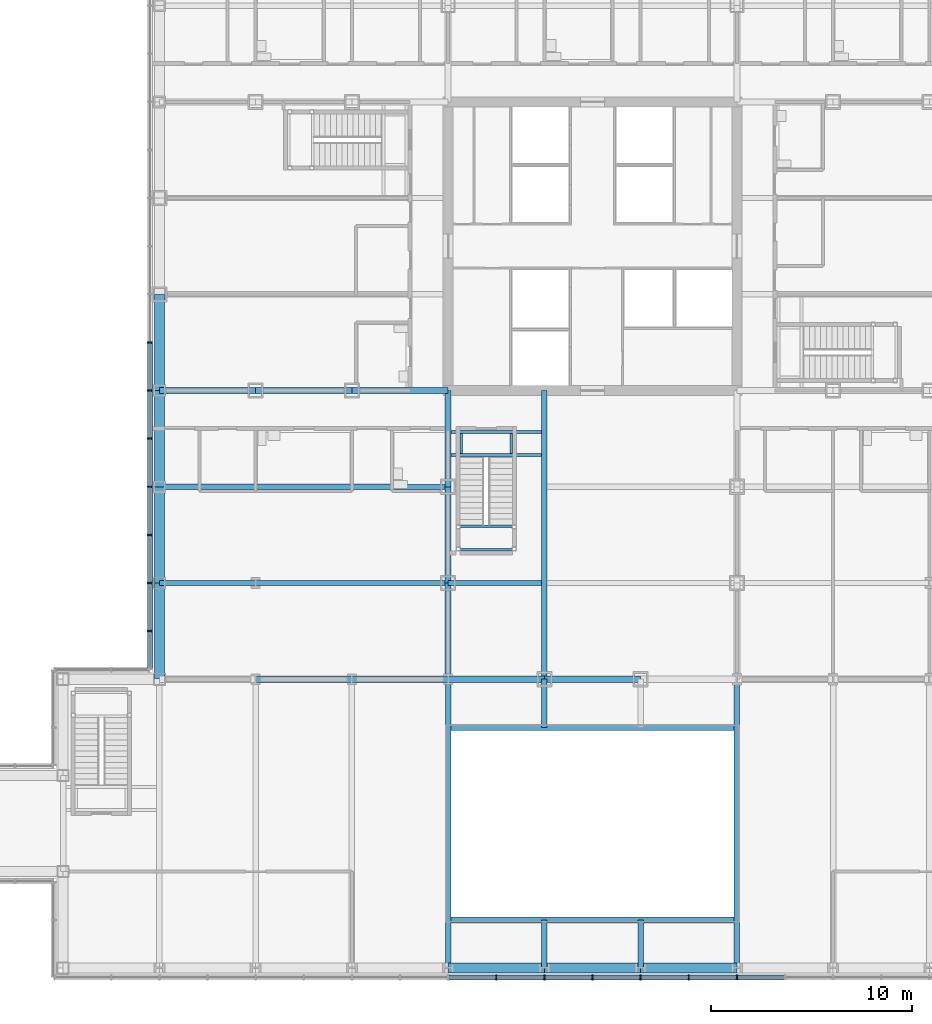
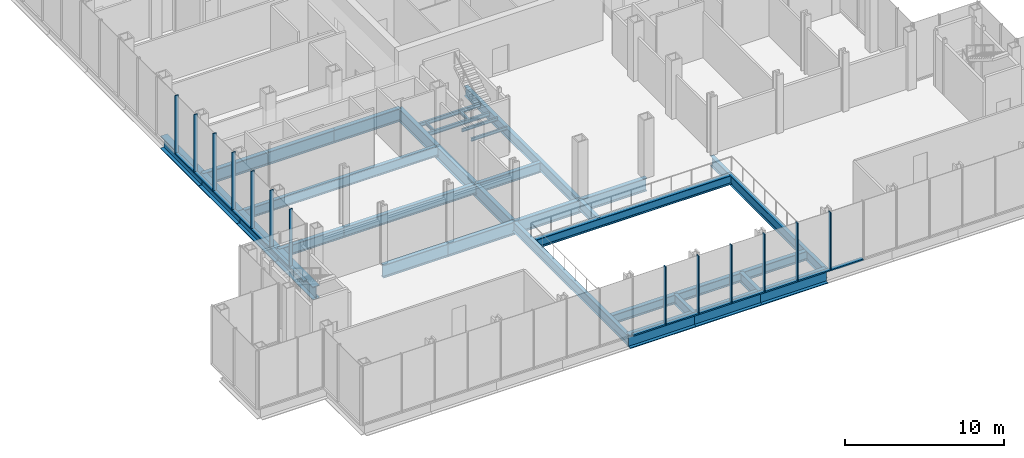
# One storey, part 12 of 25: 35 beams, 27 members, 2 elements without a shape of their own.
"""IFC4 building model written with IfcOpenShell, lengths in metres."""

from ifc_helpers import new_model, si_unit, direction, frame, origin, origin_2d, place, context, subcontext, project, spatial, rectangle, i_section, extrude, material, material_profile, profile_set, type_object, element, aggregate, save


model = new_model("IFC4")

# Units and contexts
model_context = context("Model", 3, precision=1e-05, world=origin(), true_north=direction((0.0, 1.0)))
body_context = subcontext(model_context, "Body", "Model", "MODEL_VIEW")
ifc_project = project(units=[si_unit("LENGTHUNIT", "METRE"), si_unit("AREAUNIT", "SQUARE_METRE"), si_unit("VOLUMEUNIT", "CUBIC_METRE"), si_unit("PLANEANGLEUNIT", "RADIAN"), si_unit("MASSUNIT", "GRAM", prefix="KILO")], contexts=[model_context])

# Site, building, storey
site_placement = place(None, origin())
site = spatial("IfcSite", under=ifc_project, at=site_placement, CompositionType="ELEMENT")
building_placement = place(site_placement, origin())
building = spatial("IfcBuilding", under=site, at=building_placement, Name="Kvirike Care Tower", CompositionType="ELEMENT")
storey_placement = place(building_placement, frame((0.0, 0.0, 13.5)))
storey = spatial("IfcBuildingStorey", under=building, at=storey_placement, Name="L03", CompositionType="ELEMENT", Elevation=13.5)

# Beams
ifc_material_1 = material(Name="Steel S355", Category="steel")
ifc_material_profile_1 = material_profile(ifc_material_1, i_section(OverallWidth=0.300048828125, OverallDepth=0.699951171875, WebThickness=0.01708984375, FlangeThickness=0.031982421875, FilletRadius=0.027099609375, at=origin_2d()), Name="HE 700 B")
ifc_profile_set_1 = profile_set([ifc_material_profile_1], Name="Steel S355")
beam_type_1 = type_object("IfcBeamType", Name="ATRIUM EDGE BEAM HE 700 B", PredefinedType="BEAM", material=ifc_profile_set_1)
for number, where, z_axis, x_axis, name in (
    (1, (14.39990234375, 2.39990234375, -0.52001953125), (1.0, 0.0, 0.0), (0.0, 1.0, 0.0), "Atrium Edge Beam 14.40/2.40-28.80/2.40 L03"),
    (2, (14.39990234375, 12.0, -0.52001953125), (1.0, 0.0, 0.0), (0.0, 1.0, 0.0), "Atrium Edge Beam 14.40/12.00-28.80/12.00 L03"),
):
    element("IfcBeam", number, at=place(storey_placement, frame(where, z_axis=z_axis, x_axis=x_axis)), inside=storey, type_object=beam_type_1, Name=name, PredefinedType="BEAM", context=body_context, shape_type="SweptSolid", body=[
        extrude(i_section(OverallWidth=0.300048828125, OverallDepth=0.699951171875, WebThickness=0.01708984375, FlangeThickness=0.031982421875, FilletRadius=0.027099609375, at=origin_2d()), origin(), (0.0, 0.0, 1.0), 14.400146484375),
    ])

# Curtain wall, members
ifc_material_2 = material(Name="Anodised aluminium stick system", Category="aluminium")
curtain_wall_type = type_object("IfcCurtainWallType", Name="CW-P PODIUM STICK CURTAIN WALL", PredefinedType="NOTDEFINED", material=ifc_material_2)
curtain_wall_1_placement = place(storey_placement, origin())
curtain_wall_1 = element("IfcCurtainWall", 3, at=curtain_wall_1_placement, inside=storey, type_object=curtain_wall_type, Name="Curtain wall L03 face 1", PredefinedType="NOTDEFINED")
ifc_material_3 = material(Name="Bronze anodised aluminium mullion", Category="aluminium")
ifc_material_profile_2 = material_profile(ifc_material_3, rectangle(XDim=0.06494140625, YDim=0.25, at=origin_2d()), Name="CW-P MULLION 65x250")
ifc_profile_set_2 = profile_set([ifc_material_profile_2], Name="Bronze anodised aluminium mullion")
member_type_1 = type_object("IfcMemberType", Name="CW-P MULLION 65x250", PredefinedType="MULLION", material=ifc_profile_set_2)
member_1_placement = place(storey_placement, frame((16.800048828125, -0.47509765625, 0.0), z_axis=(0.0, 0.0, 1.0), x_axis=(1.0, 0.0, 0.0)))
member_1 = element("IfcMember", 4, at=member_1_placement, type_object=member_type_1, Name="CW-P mullion L03 face 1.10", PredefinedType="MULLION", context=body_context, shape_type="SweptSolid", body=[
    extrude(rectangle(XDim=0.06494140625, YDim=0.25, at=origin_2d()), origin(), (0.0, 0.0, 1.0), 4.5),
])
member_2_placement = place(storey_placement, frame((19.199951171875, -0.47509765625, 0.0), z_axis=(0.0, 0.0, 1.0), x_axis=(1.0, 0.0, 0.0)))
member_2 = element("IfcMember", 5, at=member_2_placement, type_object=member_type_1, Name="CW-P mullion L03 face 1.11", PredefinedType="MULLION", context=body_context, shape_type="SweptSolid", body=[
    extrude(rectangle(XDim=0.06494140625, YDim=0.25, at=origin_2d()), origin(), (0.0, 0.0, 1.0), 4.5),
])
member_3_placement = place(storey_placement, frame((21.60009765625, -0.47509765625, 0.0), z_axis=(0.0, 0.0, 1.0), x_axis=(1.0, 0.0, 0.0)))
member_3 = element("IfcMember", 6, at=member_3_placement, type_object=member_type_1, Name="CW-P mullion L03 face 1.12", PredefinedType="MULLION", context=body_context, shape_type="SweptSolid", body=[
    extrude(rectangle(XDim=0.06494140625, YDim=0.25, at=origin_2d()), origin(), (0.0, 0.0, 1.0), 4.5),
])
member_4_placement = place(storey_placement, frame((24.0, -0.47509765625, 0.0), z_axis=(0.0, 0.0, 1.0), x_axis=(1.0, 0.0, 0.0)))
member_4 = element("IfcMember", 7, at=member_4_placement, type_object=member_type_1, Name="CW-P mullion L03 face 1.13", PredefinedType="MULLION", context=body_context, shape_type="SweptSolid", body=[
    extrude(rectangle(XDim=0.06494140625, YDim=0.25, at=origin_2d()), origin(), (0.0, 0.0, 1.0), 4.5),
])
member_5_placement = place(storey_placement, frame((26.39990234375, -0.47509765625, 0.0), z_axis=(0.0, 0.0, 1.0), x_axis=(1.0, 0.0, 0.0)))
member_5 = element("IfcMember", 8, at=member_5_placement, type_object=member_type_1, Name="CW-P mullion L03 face 1.14", PredefinedType="MULLION", context=body_context, shape_type="SweptSolid", body=[
    extrude(rectangle(XDim=0.06494140625, YDim=0.25, at=origin_2d()), origin(), (0.0, 0.0, 1.0), 4.5),
])
member_6_placement = place(storey_placement, frame((28.800048828125, -0.47509765625, 0.0), z_axis=(0.0, 0.0, 1.0), x_axis=(1.0, 0.0, 0.0)))
member_6 = element("IfcMember", 9, at=member_6_placement, type_object=member_type_1, Name="CW-P mullion L03 face 1.15", PredefinedType="MULLION", context=body_context, shape_type="SweptSolid", body=[
    extrude(rectangle(XDim=0.06494140625, YDim=0.25, at=origin_2d()), origin(), (0.0, 0.0, 1.0), 4.5),
])

curtain_wall_2_placement = place(storey_placement, origin())
curtain_wall_2 = element("IfcCurtainWall", 10, at=curtain_wall_2_placement, inside=storey, type_object=curtain_wall_type, Name="Curtain wall L03 face 14", PredefinedType="NOTDEFINED")
member_7_placement = place(storey_placement, frame((-0.47509765625, 31.199951171875, 0.0), z_axis=(0.0, 0.0, 1.0), x_axis=(0.0, -1.0, 0.0)))
member_7 = element("IfcMember", 11, at=member_7_placement, type_object=member_type_1, Name="CW-P mullion L03 face 14.10", PredefinedType="MULLION", context=body_context, shape_type="SweptSolid", body=[
    extrude(rectangle(XDim=0.06494140625, YDim=0.25, at=origin_2d()), origin(), (0.0, 0.0, 1.0), 4.5),
])
member_8_placement = place(storey_placement, frame((-0.47509765625, 28.800048828125, 0.0), z_axis=(0.0, 0.0, 1.0), x_axis=(0.0, -1.0, 0.0)))
member_8 = element("IfcMember", 12, at=member_8_placement, type_object=member_type_1, Name="CW-P mullion L03 face 14.11", PredefinedType="MULLION", context=body_context, shape_type="SweptSolid", body=[
    extrude(rectangle(XDim=0.06494140625, YDim=0.25, at=origin_2d()), origin(), (0.0, 0.0, 1.0), 4.5),
])
member_9_placement = place(storey_placement, frame((-0.47509765625, 26.39990234375, 0.0), z_axis=(0.0, 0.0, 1.0), x_axis=(0.0, -1.0, 0.0)))
member_9 = element("IfcMember", 13, at=member_9_placement, type_object=member_type_1, Name="CW-P mullion L03 face 14.12", PredefinedType="MULLION", context=body_context, shape_type="SweptSolid", body=[
    extrude(rectangle(XDim=0.06494140625, YDim=0.25, at=origin_2d()), origin(), (0.0, 0.0, 1.0), 4.5),
])
member_10_placement = place(storey_placement, frame((-0.47509765625, 24.0, 0.0), z_axis=(0.0, 0.0, 1.0), x_axis=(0.0, -1.0, 0.0)))
member_10 = element("IfcMember", 14, at=member_10_placement, type_object=member_type_1, Name="CW-P mullion L03 face 14.13", PredefinedType="MULLION", context=body_context, shape_type="SweptSolid", body=[
    extrude(rectangle(XDim=0.06494140625, YDim=0.25, at=origin_2d()), origin(), (0.0, 0.0, 1.0), 4.5),
])
member_11_placement = place(storey_placement, frame((-0.47509765625, 21.60009765625, 0.0), z_axis=(0.0, 0.0, 1.0), x_axis=(0.0, -1.0, 0.0)))
member_11 = element("IfcMember", 15, at=member_11_placement, type_object=member_type_1, Name="CW-P mullion L03 face 14.14", PredefinedType="MULLION", context=body_context, shape_type="SweptSolid", body=[
    extrude(rectangle(XDim=0.06494140625, YDim=0.25, at=origin_2d()), origin(), (0.0, 0.0, 1.0), 4.5),
])
member_12_placement = place(storey_placement, frame((-0.47509765625, 19.199951171875, 0.0), z_axis=(0.0, 0.0, 1.0), x_axis=(0.0, -1.0, 0.0)))
member_12 = element("IfcMember", 16, at=member_12_placement, type_object=member_type_1, Name="CW-P mullion L03 face 14.15", PredefinedType="MULLION", context=body_context, shape_type="SweptSolid", body=[
    extrude(rectangle(XDim=0.06494140625, YDim=0.25, at=origin_2d()), origin(), (0.0, 0.0, 1.0), 4.5),
])
member_13_placement = place(storey_placement, frame((-0.47509765625, 16.800048828125, 0.0), z_axis=(0.0, 0.0, 1.0), x_axis=(0.0, -1.0, 0.0)))
member_13 = element("IfcMember", 17, at=member_13_placement, type_object=member_type_1, Name="CW-P mullion L03 face 14.16", PredefinedType="MULLION", context=body_context, shape_type="SweptSolid", body=[
    extrude(rectangle(XDim=0.06494140625, YDim=0.25, at=origin_2d()), origin(), (0.0, 0.0, 1.0), 4.5),
])

# Member
ifc_material_4 = material(Name="Bronze anodised aluminium transom", Category="aluminium")
ifc_material_profile_3 = material_profile(ifc_material_4, rectangle(XDim=0.25, YDim=0.10009765625, at=origin_2d()), Name="CW-P TRANSOM 250x100")
ifc_profile_set_3 = profile_set([ifc_material_profile_3], Name="Bronze anodised aluminium transom")
member_type_2 = type_object("IfcMemberType", Name="CW-P TRANSOM 250x100", PredefinedType="USERDEFINED", material=ifc_profile_set_3)
member_14_placement = place(storey_placement, frame((14.4326171875, -0.47509765625, 0.050048828125), z_axis=(1.0, 0.0, 0.0), x_axis=(0.0, 1.0, 0.0)))
member_14 = element("IfcMember", 18, at=member_14_placement, type_object=member_type_2, Name="CW-P sill transom L03 face 1.9", ObjectType="TRANSOM", PredefinedType="USERDEFINED", context=body_context, shape_type="SweptSolid", body=[
    extrude(rectangle(XDim=0.25, YDim=0.10009765625, at=origin_2d()), origin(), (0.0, 0.0, 1.0), 2.3349609375),
])

member_15_placement = place(storey_placement, frame((16.83251953125, -0.47509765625, 0.050048828125), z_axis=(1.0, 0.0, 0.0), x_axis=(0.0, 1.0, 0.0)))
member_15 = element("IfcMember", 19, at=member_15_placement, type_object=member_type_2, Name="CW-P sill transom L03 face 1.10", ObjectType="TRANSOM", PredefinedType="USERDEFINED", context=body_context, shape_type="SweptSolid", body=[
    extrude(rectangle(XDim=0.25, YDim=0.10009765625, at=origin_2d()), origin(), (0.0, 0.0, 1.0), 2.3349609375),
])

member_16_placement = place(storey_placement, frame((19.232421875, -0.47509765625, 0.050048828125), z_axis=(1.0, 0.0, 0.0), x_axis=(0.0, 1.0, 0.0)))
member_16 = element("IfcMember", 20, at=member_16_placement, type_object=member_type_2, Name="CW-P sill transom L03 face 1.11", ObjectType="TRANSOM", PredefinedType="USERDEFINED", context=body_context, shape_type="SweptSolid", body=[
    extrude(rectangle(XDim=0.25, YDim=0.10009765625, at=origin_2d()), origin(), (0.0, 0.0, 1.0), 2.3349609375),
])

member_17_placement = place(storey_placement, frame((21.632568359375, -0.47509765625, 0.050048828125), z_axis=(1.0, 0.0, 0.0), x_axis=(0.0, 1.0, 0.0)))
member_17 = element("IfcMember", 21, at=member_17_placement, type_object=member_type_2, Name="CW-P sill transom L03 face 1.12", ObjectType="TRANSOM", PredefinedType="USERDEFINED", context=body_context, shape_type="SweptSolid", body=[
    extrude(rectangle(XDim=0.25, YDim=0.10009765625, at=origin_2d()), origin(), (0.0, 0.0, 1.0), 2.3349609375),
])

member_18_placement = place(storey_placement, frame((24.032470703125, -0.47509765625, 0.050048828125), z_axis=(1.0, 0.0, 0.0), x_axis=(0.0, 1.0, 0.0)))
member_18 = element("IfcMember", 22, at=member_18_placement, type_object=member_type_2, Name="CW-P sill transom L03 face 1.13", ObjectType="TRANSOM", PredefinedType="USERDEFINED", context=body_context, shape_type="SweptSolid", body=[
    extrude(rectangle(XDim=0.25, YDim=0.10009765625, at=origin_2d()), origin(), (0.0, 0.0, 1.0), 2.3349609375),
])

member_19_placement = place(storey_placement, frame((26.4326171875, -0.47509765625, 0.050048828125), z_axis=(1.0, 0.0, 0.0), x_axis=(0.0, 1.0, 0.0)))
member_19 = element("IfcMember", 23, at=member_19_placement, type_object=member_type_2, Name="CW-P sill transom L03 face 1.14", ObjectType="TRANSOM", PredefinedType="USERDEFINED", context=body_context, shape_type="SweptSolid", body=[
    extrude(rectangle(XDim=0.25, YDim=0.10009765625, at=origin_2d()), origin(), (0.0, 0.0, 1.0), 2.3349609375),
])

member_20_placement = place(storey_placement, frame((28.83251953125, -0.47509765625, 0.050048828125), z_axis=(1.0, 0.0, 0.0), x_axis=(0.0, 1.0, 0.0)))
member_20 = element("IfcMember", 24, at=member_20_placement, type_object=member_type_2, Name="CW-P sill transom L03 face 1.15", ObjectType="TRANSOM", PredefinedType="USERDEFINED", context=body_context, shape_type="SweptSolid", body=[
    extrude(rectangle(XDim=0.25, YDim=0.10009765625, at=origin_2d()), origin(), (0.0, 0.0, 1.0), 2.3349609375),
])

aggregate(curtain_wall_1, [member_1, member_2, member_3, member_4, member_5, member_6, member_14, member_15, member_16, member_17, member_18, member_19, member_20])

member_21_placement = place(storey_placement, frame((-0.47509765625, 31.16748046875, 0.050048828125), z_axis=(0.0, -1.0, 0.0), x_axis=(1.0, 0.0, 0.0)))
member_21 = element("IfcMember", 25, at=member_21_placement, type_object=member_type_2, Name="CW-P sill transom L03 face 14.10", ObjectType="TRANSOM", PredefinedType="USERDEFINED", context=body_context, shape_type="SweptSolid", body=[
    extrude(rectangle(XDim=0.25, YDim=0.10009765625, at=origin_2d()), origin(), (0.0, 0.0, 1.0), 2.3349609375),
])

member_22_placement = place(storey_placement, frame((-0.47509765625, 28.767578125, 0.050048828125), z_axis=(0.0, -1.0, 0.0), x_axis=(1.0, 0.0, 0.0)))
member_22 = element("IfcMember", 26, at=member_22_placement, type_object=member_type_2, Name="CW-P sill transom L03 face 14.11", ObjectType="TRANSOM", PredefinedType="USERDEFINED", context=body_context, shape_type="SweptSolid", body=[
    extrude(rectangle(XDim=0.25, YDim=0.10009765625, at=origin_2d()), origin(), (0.0, 0.0, 1.0), 2.3349609375),
])

member_23_placement = place(storey_placement, frame((-0.47509765625, 26.367431640625, 0.050048828125), z_axis=(0.0, -1.0, 0.0), x_axis=(1.0, 0.0, 0.0)))
member_23 = element("IfcMember", 27, at=member_23_placement, type_object=member_type_2, Name="CW-P sill transom L03 face 14.12", ObjectType="TRANSOM", PredefinedType="USERDEFINED", context=body_context, shape_type="SweptSolid", body=[
    extrude(rectangle(XDim=0.25, YDim=0.10009765625, at=origin_2d()), origin(), (0.0, 0.0, 1.0), 2.3349609375),
])

member_24_placement = place(storey_placement, frame((-0.47509765625, 23.967529296875, 0.050048828125), z_axis=(0.0, -1.0, 0.0), x_axis=(1.0, 0.0, 0.0)))
member_24 = element("IfcMember", 28, at=member_24_placement, type_object=member_type_2, Name="CW-P sill transom L03 face 14.13", ObjectType="TRANSOM", PredefinedType="USERDEFINED", context=body_context, shape_type="SweptSolid", body=[
    extrude(rectangle(XDim=0.25, YDim=0.10009765625, at=origin_2d()), origin(), (0.0, 0.0, 1.0), 2.3349609375),
])

member_25_placement = place(storey_placement, frame((-0.47509765625, 21.5673828125, 0.050048828125), z_axis=(0.0, -1.0, 0.0), x_axis=(1.0, 0.0, 0.0)))
member_25 = element("IfcMember", 29, at=member_25_placement, type_object=member_type_2, Name="CW-P sill transom L03 face 14.14", ObjectType="TRANSOM", PredefinedType="USERDEFINED", context=body_context, shape_type="SweptSolid", body=[
    extrude(rectangle(XDim=0.25, YDim=0.10009765625, at=origin_2d()), origin(), (0.0, 0.0, 1.0), 2.3349609375),
])

member_26_placement = place(storey_placement, frame((-0.47509765625, 19.16748046875, 0.050048828125), z_axis=(0.0, -1.0, 0.0), x_axis=(1.0, 0.0, 0.0)))
member_26 = element("IfcMember", 30, at=member_26_placement, type_object=member_type_2, Name="CW-P sill transom L03 face 14.15", ObjectType="TRANSOM", PredefinedType="USERDEFINED", context=body_context, shape_type="SweptSolid", body=[
    extrude(rectangle(XDim=0.25, YDim=0.10009765625, at=origin_2d()), origin(), (0.0, 0.0, 1.0), 2.3349609375),
])

member_27_placement = place(storey_placement, frame((-0.47509765625, 16.767578125, 0.050048828125), z_axis=(0.0, -1.0, 0.0), x_axis=(1.0, 0.0, 0.0)))
member_27 = element("IfcMember", 31, at=member_27_placement, type_object=member_type_2, Name="CW-P sill transom L03 face 14.16", ObjectType="TRANSOM", PredefinedType="USERDEFINED", context=body_context, shape_type="SweptSolid", body=[
    extrude(rectangle(XDim=0.25, YDim=0.10009765625, at=origin_2d()), origin(), (0.0, 0.0, 1.0), 1.82763671875),
])

aggregate(curtain_wall_2, [member_7, member_8, member_9, member_10, member_11, member_12, member_13, member_21, member_22, member_23, member_24, member_25, member_26, member_27])

# Beams
ifc_material_5 = material(Name="Steel S355", Category="steel")
ifc_material_profile_4 = material_profile(ifc_material_5, i_section(OverallWidth=0.26806640625, OverallDepth=0.77001953125, WebThickness=0.015625, FlangeThickness=0.025390625, FilletRadius=0.01708984375, at=origin_2d()), Name="IPE 750x196")
ifc_profile_set_4 = profile_set([ifc_material_profile_4], Name="Steel S355")
beam_type_2 = type_object("IfcBeamType", Name="FLOOR BEAM IPE 750x196", PredefinedType="BEAM", material=ifc_profile_set_4)
beam_1_placement = place(storey_placement, frame((0.0, 19.199951171875, -0.554931640625), z_axis=(1.0, 0.0, 0.0), x_axis=(0.0, 1.0, 0.0)))
element("IfcBeam", 32, at=beam_1_placement, inside=storey, type_object=beam_type_2, Name="Floor Beam E3-E4 L03", PredefinedType="BEAM", context=body_context, shape_type="SweptSolid", body=[
    extrude(i_section(OverallWidth=0.26806640625, OverallDepth=0.77001953125, WebThickness=0.015625, FlangeThickness=0.025390625, FilletRadius=0.01708984375, at=origin_2d()), origin(), (0.0, 0.0, 1.0), 4.800048828125),
])
beam_2_placement = place(storey_placement, frame((4.800048828125, 19.199951171875, -0.554931640625), z_axis=(1.0, 0.0, 0.0), x_axis=(0.0, 1.0, 0.0)))
element("IfcBeam", 33, at=beam_2_placement, inside=storey, type_object=beam_type_2, Name="Floor Beam E4-E6 L03", PredefinedType="BEAM", context=body_context, shape_type="SweptSolid", body=[
    extrude(i_section(OverallWidth=0.26806640625, OverallDepth=0.77001953125, WebThickness=0.015625, FlangeThickness=0.025390625, FilletRadius=0.01708984375, at=origin_2d()), origin(), (0.0, 0.0, 1.0), 9.599853515625),
])
beam_3_placement = place(storey_placement, frame((14.39990234375, 19.199951171875, -0.554931640625), z_axis=(1.0, 0.0, 0.0), x_axis=(0.0, 1.0, 0.0)))
element("IfcBeam", 34, at=beam_3_placement, inside=storey, type_object=beam_type_2, Name="Floor Beam E6-E7 L03", PredefinedType="BEAM", context=body_context, shape_type="SweptSolid", body=[
    extrude(i_section(OverallWidth=0.26806640625, OverallDepth=0.77001953125, WebThickness=0.015625, FlangeThickness=0.025390625, FilletRadius=0.01708984375, at=origin_2d()), origin(), (0.0, 0.0, 1.0), 4.666015625),
])
for number, where, z_axis, x_axis, name in (
    (35, (0.0, 24.0, -0.554931640625), (1.0, 0.0, 0.0), (0.0, 1.0, 0.0), "Floor Beam F3-F6 L03"),
    (36, (14.39990234375, 0.0, -0.554931640625), (0.0, 1.0, 0.0), (-1.0, 0.0, 0.0), "Floor Beam A6-D6 L03"),
):
    element("IfcBeam", number, at=place(storey_placement, frame(where, z_axis=z_axis, x_axis=x_axis)), inside=storey, type_object=beam_type_2, Name=name, PredefinedType="BEAM", context=body_context, shape_type="SweptSolid", body=[
        extrude(i_section(OverallWidth=0.26806640625, OverallDepth=0.77001953125, WebThickness=0.015625, FlangeThickness=0.025390625, FilletRadius=0.01708984375, at=origin_2d()), origin(), (0.0, 0.0, 1.0), 14.39990234375),
    ])
for number, where, z_axis, x_axis, name in (
    (37, (19.199951171875, 0.0, -0.554931640625), (0.0, 1.0, 0.0), (-1.0, 0.0, 0.0), "Floor Beam A7-19.20/2.40 L03"),
    (38, (19.199951171875, 12.0, -0.554931640625), (0.0, 1.0, 0.0), (-1.0, 0.0, 0.0), "Floor Beam 19.20/12.00-D7 L03"),
):
    element("IfcBeam", number, at=place(storey_placement, frame(where, z_axis=z_axis, x_axis=x_axis)), inside=storey, type_object=beam_type_2, Name=name, PredefinedType="BEAM", context=body_context, shape_type="SweptSolid", body=[
        extrude(i_section(OverallWidth=0.26806640625, OverallDepth=0.77001953125, WebThickness=0.015625, FlangeThickness=0.025390625, FilletRadius=0.01708984375, at=origin_2d()), origin(), (0.0, 0.0, 1.0), 2.39990234375),
    ])
beam_4_placement = place(storey_placement, frame((19.199951171875, 14.39990234375, -0.554931640625), z_axis=(0.0, 1.0, 0.0), x_axis=(-1.0, 0.0, 0.0)))
element("IfcBeam", 39, at=beam_4_placement, inside=storey, type_object=beam_type_2, Name="Floor Beam D7-G7 L03", PredefinedType="BEAM", context=body_context, shape_type="SweptSolid", body=[
    extrude(i_section(OverallWidth=0.26806640625, OverallDepth=0.77001953125, WebThickness=0.015625, FlangeThickness=0.025390625, FilletRadius=0.01708984375, at=origin_2d()), origin(), (0.0, 0.0, 1.0), 14.400146484375),
])
beam_5_placement = place(storey_placement, frame((24.0, 0.0, -0.554931640625), z_axis=(0.0, 1.0, 0.0), x_axis=(-1.0, 0.0, 0.0)))
element("IfcBeam", 40, at=beam_5_placement, inside=storey, type_object=beam_type_2, Name="Floor Beam A8-24.00/2.40 L03", PredefinedType="BEAM", context=body_context, shape_type="SweptSolid", body=[
    extrude(i_section(OverallWidth=0.26806640625, OverallDepth=0.77001953125, WebThickness=0.015625, FlangeThickness=0.025390625, FilletRadius=0.01708984375, at=origin_2d()), origin(), (0.0, 0.0, 1.0), 2.39990234375),
])
beam_6_placement = place(storey_placement, frame((28.800048828125, 0.0, -0.554931640625), z_axis=(0.0, 1.0, 0.0), x_axis=(-1.0, 0.0, 0.0)))
element("IfcBeam", 41, at=beam_6_placement, inside=storey, type_object=beam_type_2, Name="Floor Beam A9-D9 L03", PredefinedType="BEAM", context=body_context, shape_type="SweptSolid", body=[
    extrude(i_section(OverallWidth=0.26806640625, OverallDepth=0.77001953125, WebThickness=0.015625, FlangeThickness=0.025390625, FilletRadius=0.01708984375, at=origin_2d()), origin(), (0.0, 0.0, 1.0), 14.39990234375),
])
ifc_material_6 = material(Name="Steel S355", Category="steel")
ifc_material_profile_5 = material_profile(ifc_material_6, i_section(OverallWidth=0.300048828125, OverallDepth=1.0, WebThickness=0.01904296875, FlangeThickness=0.035888671875, FilletRadius=0.030029296875, at=origin_2d()), Name="HE 1000 B")
ifc_profile_set_5 = profile_set([ifc_material_profile_5], Name="Steel S355")
beam_type_3 = type_object("IfcBeamType", Name="FRAME BEAM HE 1000 B", PredefinedType="BEAM", material=ifc_profile_set_5)
beam_7_placement = place(storey_placement, frame((4.800048828125, 14.39990234375, -0.669921875), z_axis=(1.0, 0.0, 0.0), x_axis=(0.0, 1.0, 0.0)))
element("IfcBeam", 42, at=beam_7_placement, inside=storey, type_object=beam_type_3, Name="Frame Beam D4-D5 L03", PredefinedType="BEAM", context=body_context, shape_type="SweptSolid", body=[
    extrude(i_section(OverallWidth=0.300048828125, OverallDepth=1.0, WebThickness=0.01904296875, FlangeThickness=0.035888671875, FilletRadius=0.030029296875, at=origin_2d()), origin(), (0.0, 0.0, 1.0), 4.800048828125),
])
beam_8_placement = place(storey_placement, frame((9.60009765625, 14.39990234375, -0.669921875), z_axis=(1.0, 0.0, 0.0), x_axis=(0.0, 1.0, 0.0)))
element("IfcBeam", 43, at=beam_8_placement, inside=storey, type_object=beam_type_3, Name="Frame Beam D5-D6 L03", PredefinedType="BEAM", context=body_context, shape_type="SweptSolid", body=[
    extrude(i_section(OverallWidth=0.300048828125, OverallDepth=1.0, WebThickness=0.01904296875, FlangeThickness=0.035888671875, FilletRadius=0.030029296875, at=origin_2d()), origin(), (0.0, 0.0, 1.0), 4.7998046875),
])
for number, where, z_axis, x_axis, name in (
    (44, (14.39990234375, 14.39990234375, -0.669921875), (1.0, 0.0, 0.0), (0.0, 1.0, 0.0), "Frame Beam D6-D7 L03"),
    (45, (19.199951171875, 14.39990234375, -0.669921875), (1.0, 0.0, 0.0), (0.0, 1.0, 0.0), "Frame Beam D7-D8 L03"),
    (46, (0.0, 28.800048828125, -0.669921875), (1.0, 0.0, 0.0), (0.0, 1.0, 0.0), "Frame Beam G3-G4 L03"),
    (47, (4.800048828125, 28.800048828125, -0.669921875), (1.0, 0.0, 0.0), (0.0, 1.0, 0.0), "Frame Beam G4-G5 L03"),
):
    element("IfcBeam", number, at=place(storey_placement, frame(where, z_axis=z_axis, x_axis=x_axis)), inside=storey, type_object=beam_type_3, Name=name, PredefinedType="BEAM", context=body_context, shape_type="SweptSolid", body=[
        extrude(i_section(OverallWidth=0.300048828125, OverallDepth=1.0, WebThickness=0.01904296875, FlangeThickness=0.035888671875, FilletRadius=0.030029296875, at=origin_2d()), origin(), (0.0, 0.0, 1.0), 4.800048828125),
    ])
beam_9_placement = place(storey_placement, frame((9.60009765625, 28.800048828125, -0.669921875), z_axis=(1.0, 0.0, 0.0), x_axis=(0.0, 1.0, 0.0)))
element("IfcBeam", 48, at=beam_9_placement, inside=storey, type_object=beam_type_3, Name="Frame Beam G5-G6 L03", PredefinedType="BEAM", context=body_context, shape_type="SweptSolid", body=[
    extrude(i_section(OverallWidth=0.300048828125, OverallDepth=1.0, WebThickness=0.01904296875, FlangeThickness=0.035888671875, FilletRadius=0.030029296875, at=origin_2d()), origin(), (0.0, 0.0, 1.0), 4.7998046875),
])
for number, where, z_axis, x_axis, name in (
    (49, (14.39990234375, 14.39990234375, -0.669921875), (0.0, 1.0, 0.0), (-1.0, 0.0, 0.0), "Frame Beam D6-E6 L03"),
    (50, (14.39990234375, 19.199951171875, -0.669921875), (0.0, 1.0, 0.0), (-1.0, 0.0, 0.0), "Frame Beam E6-F6 L03"),
    (51, (14.39990234375, 24.0, -0.669921875), (0.0, 1.0, 0.0), (-1.0, 0.0, 0.0), "Frame Beam F6-G6 L03"),
):
    element("IfcBeam", number, at=place(storey_placement, frame(where, z_axis=z_axis, x_axis=x_axis)), inside=storey, type_object=beam_type_3, Name=name, PredefinedType="BEAM", context=body_context, shape_type="SweptSolid", body=[
        extrude(i_section(OverallWidth=0.300048828125, OverallDepth=1.0, WebThickness=0.01904296875, FlangeThickness=0.035888671875, FilletRadius=0.030029296875, at=origin_2d()), origin(), (0.0, 0.0, 1.0), 4.800048828125),
    ])
ifc_material_7 = material(Name="Steel S355", Category="steel")
ifc_material_profile_6 = material_profile(ifc_material_7, i_section(OverallWidth=0.5, OverallDepth=1.0, WebThickness=0.030029296875, FlangeThickness=0.06005859375, at=origin_2d()), Name="PG 1000x500x30x60")
ifc_profile_set_6 = profile_set([ifc_material_profile_6], Name="Steel S355")
beam_type_4 = type_object("IfcBeamType", Name="SPANDREL PG 1000x500x30x60", PredefinedType="SPANDREL", material=ifc_profile_set_6)
for number, where, z_axis, x_axis, name in (
    (52, (14.39990234375, 0.0, -0.669921875), (1.0, 0.0, 0.0), (0.0, 1.0, 0.0), "Spandrel A6-A7 L03"),
    (53, (19.199951171875, 0.0, -0.669921875), (1.0, 0.0, 0.0), (0.0, 1.0, 0.0), "Spandrel A7-A8 L03"),
    (54, (24.0, 0.0, -0.669921875), (1.0, 0.0, 0.0), (0.0, 1.0, 0.0), "Spandrel A8-A9 L03"),
    (55, (0.0, 14.39990234375, -0.669921875), (0.0, 1.0, 0.0), (-1.0, 0.0, 0.0), "Spandrel D3-E3 L03"),
    (56, (0.0, 19.199951171875, -0.669921875), (0.0, 1.0, 0.0), (-1.0, 0.0, 0.0), "Spandrel E3-F3 L03"),
    (57, (0.0, 24.0, -0.669921875), (0.0, 1.0, 0.0), (-1.0, 0.0, 0.0), "Spandrel F3-G3 L03"),
    (58, (0.0, 28.800048828125, -0.669921875), (0.0, 1.0, 0.0), (-1.0, 0.0, 0.0), "Spandrel G3-H3 L03"),
):
    element("IfcBeam", number, at=place(storey_placement, frame(where, z_axis=z_axis, x_axis=x_axis)), inside=storey, type_object=beam_type_4, Name=name, PredefinedType="SPANDREL", context=body_context, shape_type="SweptSolid", body=[
        extrude(i_section(OverallWidth=0.5, OverallDepth=1.0, WebThickness=0.030029296875, FlangeThickness=0.06005859375, at=origin_2d()), origin(), (0.0, 0.0, 1.0), 4.800048828125),
    ])
ifc_material_8 = material(Name="Steel S355", Category="steel")
ifc_material_profile_7 = material_profile(ifc_material_8, i_section(OverallWidth=0.1201171875, OverallDepth=0.239990234375, WebThickness=0.006103515625, FlangeThickness=0.009765625, FilletRadius=0.014892578125, at=origin_2d()), Name="IPE 240")
ifc_profile_set_7 = profile_set([ifc_material_profile_7], Name="Steel S355")
beam_type_5 = type_object("IfcBeamType", Name="STAIR LANDING BEAM IPE 240", PredefinedType="BEAM", material=ifc_profile_set_7)
for number, where, z_axis, x_axis, name in (
    (59, (15.0, 20.860107421875, 1.929931640625), (1.0, 0.0, 0.0), (0.0, 1.0, 0.0), "Stair 5 landing beam back L03"),
    (60, (15.0, 22.0400390625, 1.929931640625), (1.0, 0.0, 0.0), (0.0, 1.0, 0.0), "Stair 5 landing beam front L03"),
):
    element("IfcBeam", number, at=place(storey_placement, frame(where, z_axis=z_axis, x_axis=x_axis)), inside=storey, type_object=beam_type_5, Name=name, PredefinedType="BEAM", context=body_context, shape_type="SweptSolid", body=[
        extrude(i_section(OverallWidth=0.1201171875, OverallDepth=0.239990234375, WebThickness=0.006103515625, FlangeThickness=0.009765625, FilletRadius=0.014892578125, at=origin_2d()), origin(), (0.0, 0.0, 1.0), 2.60009765625),
    ])
for number, where, z_axis, x_axis, name in (
    (61, (15.06005859375, 25.64990234375, -0.320068359375), (0.0, 1.0, 0.0), (-1.0, 0.0, 0.0), "Stair 5 landing edge beam 1 L03"),
    (62, (17.5400390625, 25.64990234375, -0.320068359375), (0.0, 1.0, 0.0), (-1.0, 0.0, 0.0), "Stair 5 landing edge beam 2 L03"),
):
    element("IfcBeam", number, at=place(storey_placement, frame(where, z_axis=z_axis, x_axis=x_axis)), inside=storey, type_object=beam_type_5, Name=name, PredefinedType="BEAM", context=body_context, shape_type="SweptSolid", body=[
        extrude(i_section(OverallWidth=0.1201171875, OverallDepth=0.239990234375, WebThickness=0.006103515625, FlangeThickness=0.009765625, FilletRadius=0.014892578125, at=origin_2d()), origin(), (0.0, 0.0, 1.0), 1.0),
    ])
ifc_material_9 = material(Name="Steel S355", Category="steel")
ifc_material_profile_8 = material_profile(ifc_material_9, i_section(OverallWidth=0.14990234375, OverallDepth=0.300048828125, WebThickness=0.007080078125, FlangeThickness=0.0107421875, FilletRadius=0.014892578125, at=origin_2d()), Name="IPE 300")
ifc_profile_set_8 = profile_set([ifc_material_profile_8], Name="Steel S355")
beam_type_6 = type_object("IfcBeamType", Name="STAIR TRIMMER IPE 300", PredefinedType="BEAM", material=ifc_profile_set_8)
for number, where, z_axis, x_axis, name in (
    (63, (14.550048828125, 25.574951171875, -0.35009765625), (1.0, 0.0, 0.0), (0.0, 1.0, 0.0), "Stair 5 trimmer 1 L03"),
    (64, (14.550048828125, 26.72509765625, -0.35009765625), (1.0, 0.0, 0.0), (0.0, 1.0, 0.0), "Stair 5 trimmer 2 L03"),
):
    element("IfcBeam", number, at=place(storey_placement, frame(where, z_axis=z_axis, x_axis=x_axis)), inside=storey, type_object=beam_type_6, Name=name, PredefinedType="BEAM", context=body_context, shape_type="SweptSolid", body=[
        extrude(i_section(OverallWidth=0.14990234375, OverallDepth=0.300048828125, WebThickness=0.007080078125, FlangeThickness=0.0107421875, FilletRadius=0.014892578125, at=origin_2d()), origin(), (0.0, 0.0, 1.0), 4.515869140625),
    ])

save(model, "model.ifc")
